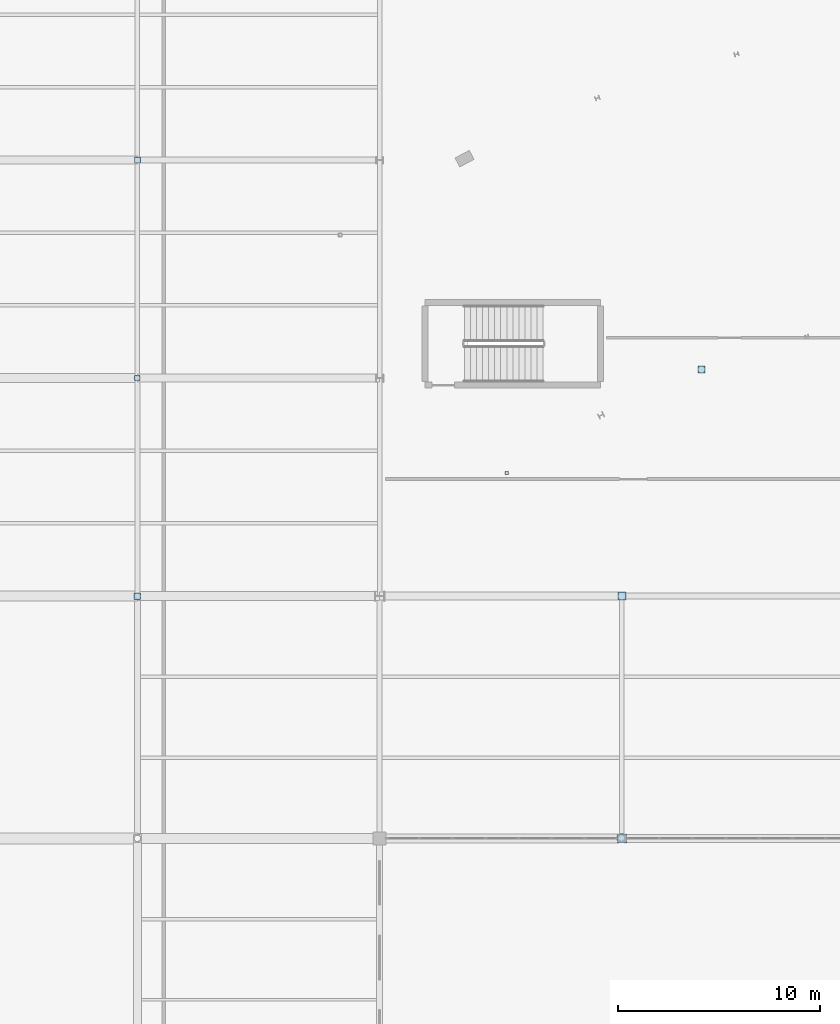
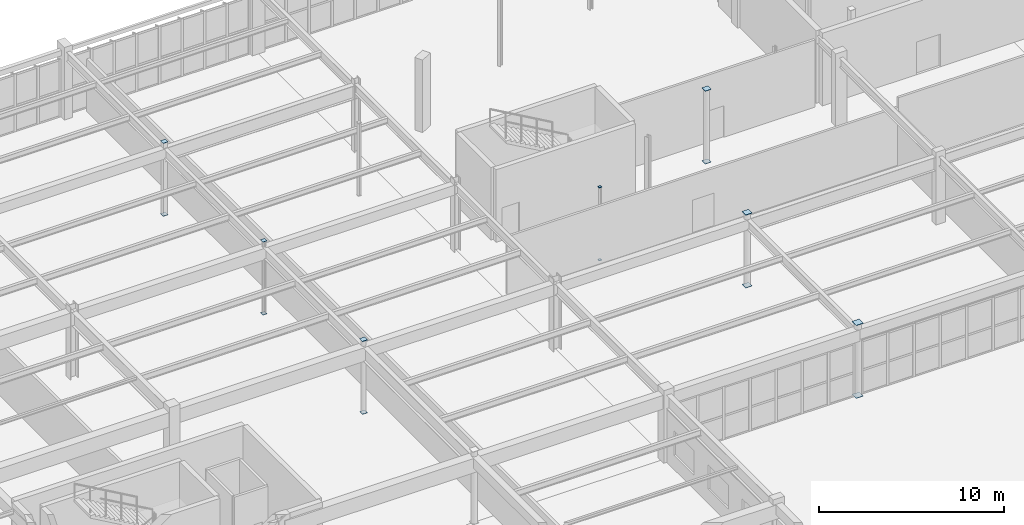
# One storey, part 142 of 199: 14 plates.
"""IFC4 building model written with IfcOpenShell, lengths in metres."""

from ifc_helpers import new_model, si_unit, direction, frame, origin, origin_2d, place, context, subcontext, project, spatial, rectangle, extrude, material, layer, layer_set, type_object, element, save


model = new_model("IFC4")

# Units and contexts
model_context = context("Model", 3, precision=1e-05, world=origin(), true_north=direction((0.0, 1.0)))
body_context = subcontext(model_context, "Body", "Model", "MODEL_VIEW")
ifc_project = project(units=[si_unit("LENGTHUNIT", "METRE"), si_unit("AREAUNIT", "SQUARE_METRE"), si_unit("VOLUMEUNIT", "CUBIC_METRE"), si_unit("PLANEANGLEUNIT", "RADIAN"), si_unit("MASSUNIT", "GRAM", prefix="KILO")], contexts=[model_context])

# Site, building, storey
site_placement = place(None, origin())
site = spatial("IfcSite", under=ifc_project, at=site_placement, CompositionType="ELEMENT")
building_placement = place(site_placement, origin())
building = spatial("IfcBuilding", under=site, at=building_placement, Name="Tarnwether General Hospital", CompositionType="ELEMENT")
storey_placement = place(building_placement, origin())
storey = spatial("IfcBuildingStorey", under=building, at=storey_placement, Name="L00", CompositionType="ELEMENT", Elevation=0.0)

# Plates
ifc_material = material(Name="Steel Grade 350 (350 MPa)", Category="steel")
ifc_layer = layer(ifc_material, 0.02490234375)
ifc_layer_set = layer_set([ifc_layer], Name="Steel Grade 350 (350 MPa)")
plate_type = type_object("IfcPlateType", Name="PT-GUS2", PredefinedType="USERDEFINED", material=ifc_layer_set)
for number, where, z_axis, x_axis, name in (
    (1, (48.0, 93.60009765625, -0.02490234375), (0.0, 0.0, 1.0), (1.0, 0.0, 0.0), "Hollow Section Welded End Cap Plate 0099"),
    (2, (48.0, 93.60009765625, 4.800048828125), (0.0, 0.0, 1.0), (1.0, 0.0, 0.0), "Hollow Section Welded End Cap Plate 0100"),
):
    element("IfcPlate", number, at=place(storey_placement, frame(where, z_axis=z_axis, x_axis=x_axis)), inside=storey, type_object=plate_type, Name=name, ObjectType="GUSSET", PredefinedType="USERDEFINED", context=body_context, shape_type="SweptSolid", body=[
        extrude(rectangle(XDim=0.31298828125, YDim=0.31298828125, at=origin_2d()), origin(), (0.0, 0.0, 1.0), 0.02490234375),
    ])
for number, where, z_axis, x_axis, name in (
    (3, (48.0, 104.39990234375, -0.02490234375), (0.0, 0.0, 1.0), (1.0, 0.0, 0.0), "Hollow Section Welded End Cap Plate 0107"),
    (4, (48.0, 104.39990234375, 4.800048828125), (0.0, 0.0, 1.0), (1.0, 0.0, 0.0), "Hollow Section Welded End Cap Plate 0108"),
):
    element("IfcPlate", number, at=place(storey_placement, frame(where, z_axis=z_axis, x_axis=x_axis)), inside=storey, type_object=plate_type, Name=name, ObjectType="GUSSET", PredefinedType="USERDEFINED", context=body_context, shape_type="SweptSolid", body=[
        extrude(rectangle(XDim=0.259033203125, YDim=0.259033203125, at=origin_2d()), origin(), (0.0, 0.0, 1.0), 0.02490234375),
    ])
for number, where, z_axis, x_axis, name in (
    (5, (48.0, 115.199951171875, -0.02490234375), (0.0, 0.0, 1.0), (1.0, 0.0, 0.0), "Hollow Section Welded End Cap Plate 0115"),
    (6, (48.0, 115.199951171875, 4.800048828125), (0.0, 0.0, 1.0), (1.0, 0.0, 0.0), "Hollow Section Welded End Cap Plate 0116"),
):
    element("IfcPlate", number, at=place(storey_placement, frame(where, z_axis=z_axis, x_axis=x_axis)), inside=storey, type_object=plate_type, Name=name, ObjectType="GUSSET", PredefinedType="USERDEFINED", context=body_context, shape_type="SweptSolid", body=[
        extrude(rectangle(XDim=0.2900390625, YDim=0.2900390625, at=origin_2d()), origin(), (0.0, 0.0, 1.0), 0.02490234375),
    ])
for number, where, z_axis, x_axis, name in (
    (7, (72.0, 81.60009765625, -0.02490234375), (0.0, 0.0, 1.0), (1.0, 0.0, 0.0), "Hollow Section Welded End Cap Plate 0127"),
    (8, (72.0, 81.60009765625, 4.800048828125), (0.0, 0.0, 1.0), (1.0, 0.0, 0.0), "Hollow Section Welded End Cap Plate 0128"),
):
    element("IfcPlate", number, at=place(storey_placement, frame(where, z_axis=z_axis, x_axis=x_axis)), inside=storey, type_object=plate_type, Name=name, ObjectType="GUSSET", PredefinedType="USERDEFINED", context=body_context, shape_type="SweptSolid", body=[
        extrude(rectangle(XDim=0.446044921875, YDim=0.446044921875, at=origin_2d()), origin(), (0.0, 0.0, 1.0), 0.02490234375),
    ])
for number, where, z_axis, x_axis, name in (
    (9, (72.0, 93.60009765625, -0.02490234375), (0.0, 0.0, 1.0), (1.0, 0.0, 0.0), "Hollow Section Welded End Cap Plate 0135"),
    (10, (72.0, 93.60009765625, 4.800048828125), (0.0, 0.0, 1.0), (1.0, 0.0, 0.0), "Hollow Section Welded End Cap Plate 0136"),
):
    element("IfcPlate", number, at=place(storey_placement, frame(where, z_axis=z_axis, x_axis=x_axis)), inside=storey, type_object=plate_type, Name=name, ObjectType="GUSSET", PredefinedType="USERDEFINED", context=body_context, shape_type="SweptSolid", body=[
        extrude(rectangle(XDim=0.39599609375, YDim=0.39599609375, at=origin_2d()), origin(), (0.0, 0.0, 1.0), 0.02490234375),
    ])
for number, where, z_axis, x_axis, name in (
    (11, (66.303955078125, 99.697998046875, -0.02490234375), (0.0, 0.0, 1.0), (1.0, 0.0, 0.0), "Hollow Section Welded End Cap Plate 0461"),
    (12, (66.303955078125, 99.697998046875, 4.800048828125), (0.0, 0.0, 1.0), (1.0, 0.0, 0.0), "Hollow Section Welded End Cap Plate 0462"),
):
    element("IfcPlate", number, at=place(storey_placement, frame(where, z_axis=z_axis, x_axis=x_axis)), inside=storey, type_object=plate_type, Name=name, ObjectType="GUSSET", PredefinedType="USERDEFINED", context=body_context, shape_type="SweptSolid", body=[
        extrude(rectangle(XDim=0.1650390625, YDim=0.1650390625, at=origin_2d()), origin(), (0.0, 0.0, 1.0), 0.02490234375),
    ])
for number, where, z_axis, x_axis, name in (
    (13, (75.945068359375, 104.823974609375, -0.02490234375), (0.0, 0.0, 1.0), (1.0, 0.0, 0.0), "Hollow Section Welded End Cap Plate 0483"),
    (14, (75.945068359375, 104.823974609375, 4.800048828125), (0.0, 0.0, 1.0), (1.0, 0.0, 0.0), "Hollow Section Welded End Cap Plate 0484"),
):
    element("IfcPlate", number, at=place(storey_placement, frame(where, z_axis=z_axis, x_axis=x_axis)), inside=storey, type_object=plate_type, Name=name, ObjectType="GUSSET", PredefinedType="USERDEFINED", context=body_context, shape_type="SweptSolid", body=[
        extrude(rectangle(XDim=0.364013671875, YDim=0.364013671875, at=origin_2d()), origin(), (0.0, 0.0, 1.0), 0.02490234375),
    ])

save(model, "model.ifc")
